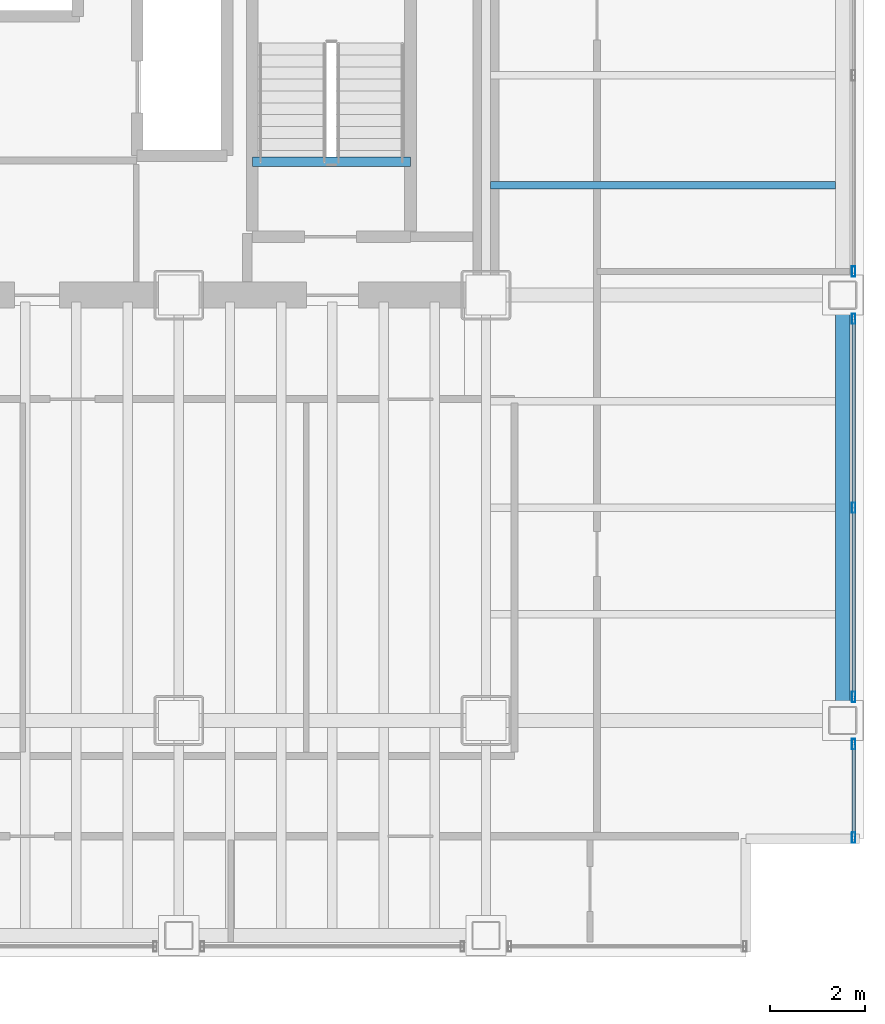
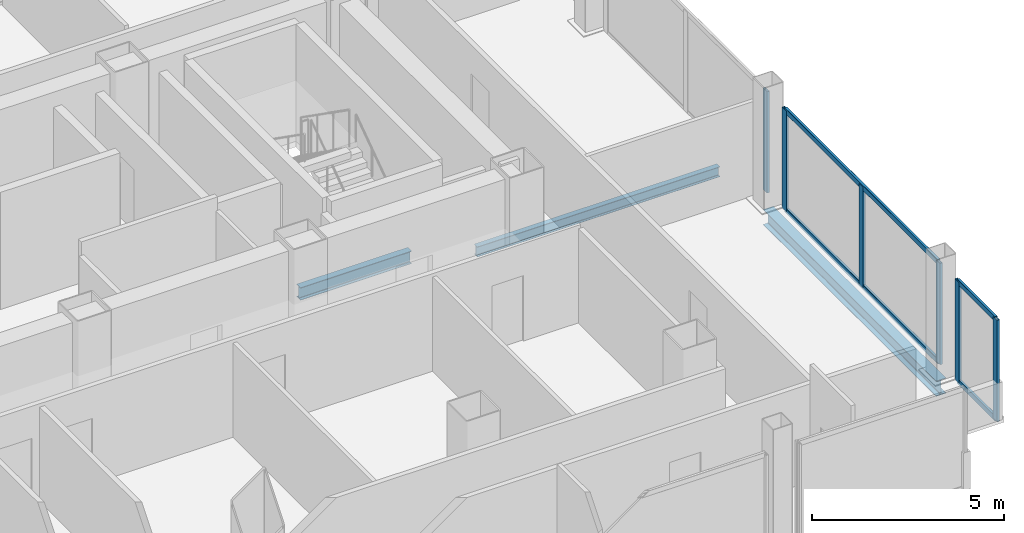
# One storey, part 11 of 21: 10 members, 3 beams, 3 elements without a shape of their own.
"""IFC4 building model written with IfcOpenShell, lengths in metres."""

from ifc_helpers import new_model, si_unit, direction, frame, origin, origin_2d, place, context, subcontext, project, spatial, hollow_rectangle, i_section, extrude, material, material_profile, profile_set, type_object, element, aggregate, save


model = new_model("IFC4")

# Units and contexts
model_context = context("Model", 3, precision=1e-05, world=origin(), true_north=direction((0.0, 1.0)))
body_context = subcontext(model_context, "Body", "Model", "MODEL_VIEW")
ifc_project = project(units=[si_unit("LENGTHUNIT", "METRE"), si_unit("AREAUNIT", "SQUARE_METRE"), si_unit("VOLUMEUNIT", "CUBIC_METRE"), si_unit("PLANEANGLEUNIT", "RADIAN"), si_unit("MASSUNIT", "GRAM", prefix="KILO")], contexts=[model_context])

# Site, building, storey
site_placement = place(None, origin())
site = spatial("IfcSite", under=ifc_project, at=site_placement, CompositionType="ELEMENT")
building_placement = place(site_placement, origin())
building = spatial("IfcBuilding", under=site, at=building_placement, Name="Noeulbin Bourse Tower", CompositionType="ELEMENT")
storey_placement = place(building_placement, frame((0.0, 0.0, 42.10009765625)))
storey = spatial("IfcBuildingStorey", under=building, at=storey_placement, Name="L10", CompositionType="ELEMENT", Elevation=42.10009765625)

# Beams
ifc_material_1 = material(Name="Steel S355", Category="steel")
ifc_material_profile_1 = material_profile(ifc_material_1, i_section(OverallWidth=0.159912109375, OverallDepth=0.320068359375, WebThickness=0.006591796875, FlangeThickness=0.010009765625, FilletRadius=0.012939453125, at=origin_2d()), Name="H-320x160x6.5x10", Category="LoadBearing")
ifc_profile_set_1 = profile_set([ifc_material_profile_1], Name="Steel S355")
beam_type_1 = type_object("IfcBeamType", Name="BM-JST-320", PredefinedType="JOIST", material=ifc_profile_set_1)
beam_1_placement = place(storey_placement, frame((44.10009765625, 31.324951171875, -0.340087890625), z_axis=(1.0, 0.0, 0.0), x_axis=(0.0, 1.0, 0.0)))
element("IfcBeam", 1, at=beam_1_placement, inside=storey, type_object=beam_type_1, Name="Wing Composite Joist L10-E79", PredefinedType="JOIST", context=body_context, shape_type="SweptSolid", body=[
    extrude(i_section(OverallWidth=0.159912109375, OverallDepth=0.320068359375, WebThickness=0.006591796875, FlangeThickness=0.010009765625, FilletRadius=0.012939453125, at=origin_2d()), origin(), (0.0, 0.0, 1.0), 7.2998046875),
])
ifc_material_profile_2 = material_profile(ifc_material_1, i_section(OverallWidth=0.199951171875, OverallDepth=0.39990234375, WebThickness=0.008056640625, FlangeThickness=0.012939453125, FilletRadius=0.01611328125, at=origin_2d()), Name="H-400x200x8x13", Category="LoadBearing")
ifc_profile_set_2 = profile_set([ifc_material_profile_2], Name="Steel S355")
beam_type_2 = type_object("IfcBeamType", Name="BM-SEC-400", PredefinedType="BEAM", material=ifc_profile_set_2)
beam_2_placement = place(storey_placement, frame((39.06005859375, 31.820068359375, -0.2001953125), z_axis=(1.0, 0.0, 0.0), x_axis=(0.0, 1.0, 0.0)))
element("IfcBeam", 2, at=beam_2_placement, inside=storey, type_object=beam_type_2, Name="Stair Threshold Trimmer Beam ST2-L10", PredefinedType="BEAM", context=body_context, shape_type="SweptSolid", body=[
    extrude(i_section(OverallWidth=0.199951171875, OverallDepth=0.39990234375, WebThickness=0.008056640625, FlangeThickness=0.012939453125, FilletRadius=0.01611328125, at=origin_2d()), origin(), (0.0, 0.0, 1.0), 3.33984375),
])
ifc_material_profile_3 = material_profile(ifc_material_1, i_section(OverallWidth=0.300048828125, OverallDepth=0.488037109375, WebThickness=0.010986328125, FlangeThickness=0.01806640625, FilletRadius=0.02197265625, at=origin_2d()), Name="H-488x300x11x18", Category="LoadBearing")
ifc_profile_set_3 = profile_set([ifc_material_profile_3], Name="Steel S355")
beam_type_3 = type_object("IfcBeamType", Name="BM-SPN-488", PredefinedType="SPANDREL", material=ifc_profile_set_3)
beam_3_placement = place(storey_placement, frame((51.550048828125, 20.0, -0.424072265625), z_axis=(0.0, 1.0, 0.0), x_axis=(-1.0, 0.0, 0.0)))
element("IfcBeam", 3, at=beam_3_placement, inside=storey, type_object=beam_type_3, Name="East Spandrel L10-1", PredefinedType="SPANDREL", context=body_context, shape_type="SweptSolid", body=[
    extrude(i_section(OverallWidth=0.300048828125, OverallDepth=0.488037109375, WebThickness=0.010986328125, FlangeThickness=0.01806640625, FilletRadius=0.02197265625, at=origin_2d()), origin(), (0.0, 0.0, 1.0), 9.0),
])

# Curtain wall, members
ifc_material_2 = material(Name="Dark Solar-Control Double Glazing", Category="glass")
curtain_wall_type = type_object("IfcCurtainWallType", Name="CW-SYS-2", PredefinedType="NOTDEFINED", material=ifc_material_2)
curtain_wall_1_placement = place(storey_placement, origin())
curtain_wall_1 = element("IfcCurtainWall", 4, at=curtain_wall_1_placement, inside=storey, type_object=curtain_wall_type, Name="Unitised Curtain Wall CW-L10-E-S1", PredefinedType="NOTDEFINED")
ifc_material_3 = material(Name="Anodised Aluminium 6063-T6", Category="aluminium")
ifc_material_profile_4 = material_profile(ifc_material_3, hollow_rectangle(XDim=0.074951171875, YDim=0.219970703125, WallThickness=0.0048828125, InnerFilletRadius=0.00244140625, OuterFilletRadius=0.0048828125, at=origin_2d()), Name="ALU-MULL-75x220x5", Category="LoadBearing")
ifc_profile_set_4 = profile_set([ifc_material_profile_4], Name="Anodised Aluminium 6063-T6")
member_type_1 = type_object("IfcMemberType", Name="CW-SYS-2-MUL", PredefinedType="MULLION", material=ifc_profile_set_4)
member_1_placement = place(storey_placement, frame((51.780029296875, 17.52001953125, -0.02001953125), z_axis=(0.0, 0.0, 1.0), x_axis=(1.0, 0.0, 0.0)))
member_1 = element("IfcMember", 5, at=member_1_placement, type_object=member_type_1, Name="Curtain Wall Mullion CW-L10-E-S1-M00", PredefinedType="MULLION", context=body_context, shape_type="SweptSolid", body=[
    extrude(hollow_rectangle(XDim=0.074951171875, YDim=0.219970703125, WallThickness=0.0048828125, InnerFilletRadius=0.00244140625, OuterFilletRadius=0.0048828125, at=origin_2d()), origin(), (0.0, 0.0, 1.0), 3.219970703125),
])
member_2_placement = place(storey_placement, frame((51.780029296875, 19.5, -0.02001953125), z_axis=(0.0, 0.0, 1.0), x_axis=(1.0, 0.0, 0.0)))
member_2 = element("IfcMember", 6, at=member_2_placement, type_object=member_type_1, Name="Curtain Wall Mullion CW-L10-E-S1-M01", PredefinedType="MULLION", context=body_context, shape_type="SweptSolid", body=[
    extrude(hollow_rectangle(XDim=0.074951171875, YDim=0.219970703125, WallThickness=0.0048828125, InnerFilletRadius=0.00244140625, OuterFilletRadius=0.0048828125, at=origin_2d()), origin(), (0.0, 0.0, 1.0), 3.219970703125),
])

curtain_wall_2_placement = place(storey_placement, origin())
curtain_wall_2 = element("IfcCurtainWall", 7, at=curtain_wall_2_placement, inside=storey, type_object=curtain_wall_type, Name="Unitised Curtain Wall CW-L10-E-S2", PredefinedType="NOTDEFINED")
member_3_placement = place(storey_placement, frame((51.780029296875, 20.5, -0.02001953125), z_axis=(0.0, 0.0, 1.0), x_axis=(1.0, 0.0, 0.0)))
member_3 = element("IfcMember", 8, at=member_3_placement, type_object=member_type_1, Name="Curtain Wall Mullion CW-L10-E-S2-M00", PredefinedType="MULLION", context=body_context, shape_type="SweptSolid", body=[
    extrude(hollow_rectangle(XDim=0.074951171875, YDim=0.219970703125, WallThickness=0.0048828125, InnerFilletRadius=0.00244140625, OuterFilletRadius=0.0048828125, at=origin_2d()), origin(), (0.0, 0.0, 1.0), 3.219970703125),
])
member_4_placement = place(storey_placement, frame((51.780029296875, 24.5, -0.02001953125), z_axis=(0.0, 0.0, 1.0), x_axis=(1.0, 0.0, 0.0)))
member_4 = element("IfcMember", 9, at=member_4_placement, type_object=member_type_1, Name="Curtain Wall Mullion CW-L10-E-S2-M01", PredefinedType="MULLION", context=body_context, shape_type="SweptSolid", body=[
    extrude(hollow_rectangle(XDim=0.074951171875, YDim=0.219970703125, WallThickness=0.0048828125, InnerFilletRadius=0.00244140625, OuterFilletRadius=0.0048828125, at=origin_2d()), origin(), (0.0, 0.0, 1.0), 3.219970703125),
])
member_5_placement = place(storey_placement, frame((51.780029296875, 28.5, -0.02001953125), z_axis=(0.0, 0.0, 1.0), x_axis=(1.0, 0.0, 0.0)))
member_5 = element("IfcMember", 10, at=member_5_placement, type_object=member_type_1, Name="Curtain Wall Mullion CW-L10-E-S2-M02", PredefinedType="MULLION", context=body_context, shape_type="SweptSolid", body=[
    extrude(hollow_rectangle(XDim=0.074951171875, YDim=0.219970703125, WallThickness=0.0048828125, InnerFilletRadius=0.00244140625, OuterFilletRadius=0.0048828125, at=origin_2d()), origin(), (0.0, 0.0, 1.0), 3.219970703125),
])

# Curtain wall, member
curtain_wall_3_placement = place(storey_placement, origin())
curtain_wall_3 = element("IfcCurtainWall", 11, at=curtain_wall_3_placement, inside=storey, type_object=curtain_wall_type, Name="Unitised Curtain Wall CW-L10-E-S3", PredefinedType="NOTDEFINED")
member_6_placement = place(storey_placement, frame((51.780029296875, 29.5, -0.02001953125), z_axis=(0.0, 0.0, 1.0), x_axis=(1.0, 0.0, 0.0)))
member_6 = element("IfcMember", 12, at=member_6_placement, type_object=member_type_1, Name="Curtain Wall Mullion CW-L10-E-S3-M00", PredefinedType="MULLION", context=body_context, shape_type="SweptSolid", body=[
    extrude(hollow_rectangle(XDim=0.074951171875, YDim=0.219970703125, WallThickness=0.0048828125, InnerFilletRadius=0.00244140625, OuterFilletRadius=0.0048828125, at=origin_2d()), origin(), (0.0, 0.0, 1.0), 3.219970703125),
])
aggregate(curtain_wall_3, [member_6])

# Member
ifc_material_profile_5 = material_profile(ifc_material_3, hollow_rectangle(XDim=0.074951171875, YDim=0.159912109375, WallThickness=0.0048828125, InnerFilletRadius=0.00244140625, OuterFilletRadius=0.0048828125, at=origin_2d()), Name="ALU-TRAN-75x160x5", Category="LoadBearing")
ifc_profile_set_5 = profile_set([ifc_material_profile_5], Name="Anodised Aluminium 6063-T6")
member_type_2 = type_object("IfcMemberType", Name="CW-SYS-2-TRN", PredefinedType="USERDEFINED", material=ifc_profile_set_5)
member_7_placement = place(storey_placement, frame((51.780029296875, 17.530029296875, 0.010009765625), z_axis=(0.0, 1.0, 0.0), x_axis=(-1.0, 0.0, 0.0)))
member_7 = element("IfcMember", 13, at=member_7_placement, type_object=member_type_2, Name="Curtain Wall Transom CW-L10-E-S1-T00", ObjectType="TRANSOM", PredefinedType="USERDEFINED", context=body_context, shape_type="SweptSolid", body=[
    extrude(hollow_rectangle(XDim=0.074951171875, YDim=0.159912109375, WallThickness=0.0048828125, InnerFilletRadius=0.00244140625, OuterFilletRadius=0.0048828125, at=origin_2d()), origin(), (0.0, 0.0, 1.0), 1.9599609375),
])

member_8_placement = place(storey_placement, frame((51.780029296875, 17.530029296875, 3.169921875), z_axis=(0.0, 1.0, 0.0), x_axis=(-1.0, 0.0, 0.0)))
member_8 = element("IfcMember", 14, at=member_8_placement, type_object=member_type_2, Name="Curtain Wall Transom CW-L10-E-S1-T01", ObjectType="TRANSOM", PredefinedType="USERDEFINED", context=body_context, shape_type="SweptSolid", body=[
    extrude(hollow_rectangle(XDim=0.074951171875, YDim=0.159912109375, WallThickness=0.0048828125, InnerFilletRadius=0.00244140625, OuterFilletRadius=0.0048828125, at=origin_2d()), origin(), (0.0, 0.0, 1.0), 1.9599609375),
])

aggregate(curtain_wall_1, [member_1, member_2, member_7, member_8])

member_9_placement = place(storey_placement, frame((51.780029296875, 20.510009765625, 0.010009765625), z_axis=(0.0, 1.0, 0.0), x_axis=(-1.0, 0.0, 0.0)))
member_9 = element("IfcMember", 15, at=member_9_placement, type_object=member_type_2, Name="Curtain Wall Transom CW-L10-E-S2-T00", ObjectType="TRANSOM", PredefinedType="USERDEFINED", context=body_context, shape_type="SweptSolid", body=[
    extrude(hollow_rectangle(XDim=0.074951171875, YDim=0.159912109375, WallThickness=0.0048828125, InnerFilletRadius=0.00244140625, OuterFilletRadius=0.0048828125, at=origin_2d()), origin(), (0.0, 0.0, 1.0), 7.97998046875),
])

member_10_placement = place(storey_placement, frame((51.780029296875, 20.510009765625, 3.169921875), z_axis=(0.0, 1.0, 0.0), x_axis=(-1.0, 0.0, 0.0)))
member_10 = element("IfcMember", 16, at=member_10_placement, type_object=member_type_2, Name="Curtain Wall Transom CW-L10-E-S2-T01", ObjectType="TRANSOM", PredefinedType="USERDEFINED", context=body_context, shape_type="SweptSolid", body=[
    extrude(hollow_rectangle(XDim=0.074951171875, YDim=0.159912109375, WallThickness=0.0048828125, InnerFilletRadius=0.00244140625, OuterFilletRadius=0.0048828125, at=origin_2d()), origin(), (0.0, 0.0, 1.0), 7.97998046875),
])

aggregate(curtain_wall_2, [member_3, member_4, member_5, member_9, member_10])

save(model, "model.ifc")
